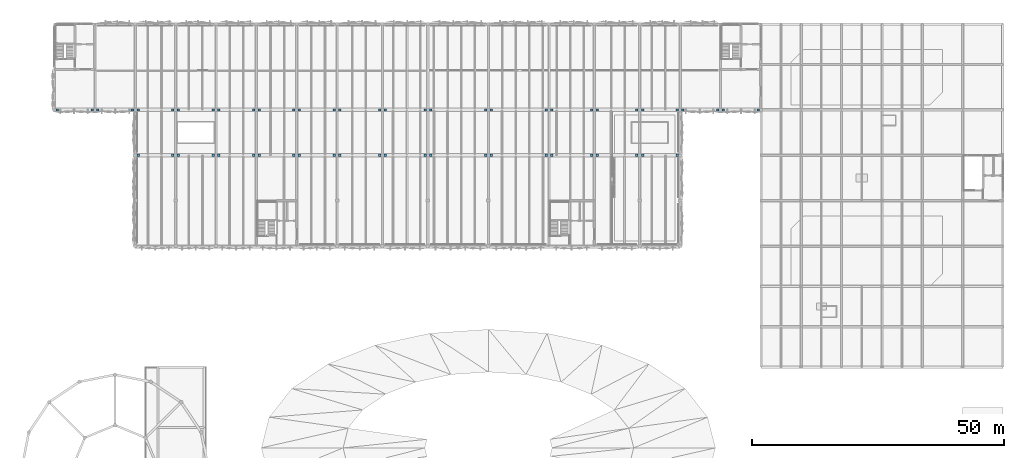
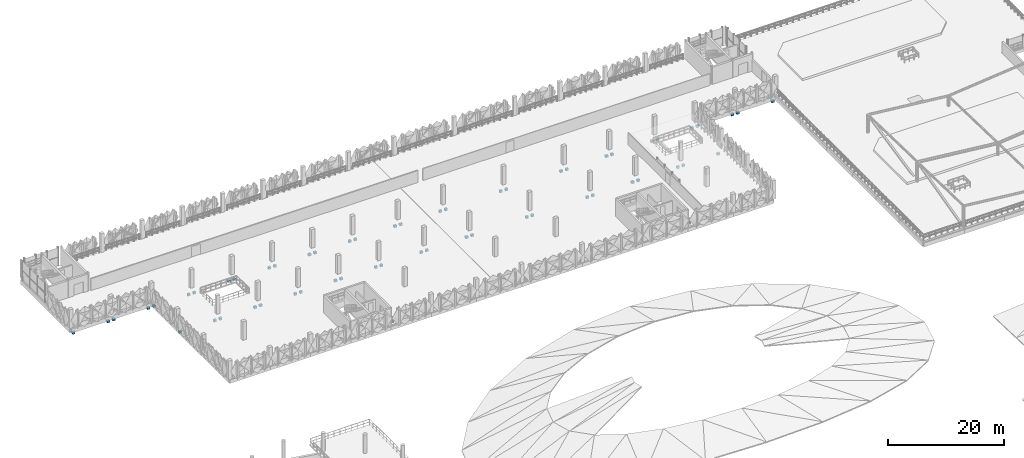
# One storey, part 35 of 52: 56 discrete accessories.
"""IFC4 building model written with IfcOpenShell, lengths in metres."""

from ifc_helpers import new_model, si_unit, derived_unit, direction, frame, origin, origin_2d, place, context, subcontext, project, spatial, rectangle, extrude, material, type_object, element, save


model = new_model("IFC4")

# Units and contexts
model_context = context("Model", 3, precision=1e-05, world=origin(), true_north=direction((0.0, 1.0)))
body_context = subcontext(model_context, "Body", "Model", "MODEL_VIEW")
ifc_project = project(units=[si_unit("LENGTHUNIT", "METRE"), si_unit("AREAUNIT", "SQUARE_METRE"), si_unit("VOLUMEUNIT", "CUBIC_METRE"), si_unit("PLANEANGLEUNIT", "RADIAN"), si_unit("MASSUNIT", "GRAM", prefix="KILO"), si_unit("THERMODYNAMICTEMPERATUREUNIT", "KELVIN"), derived_unit("THERMALTRANSMITTANCEUNIT", [(si_unit("POWERUNIT", "WATT"), 1), (si_unit("AREAUNIT", "SQUARE_METRE"), -1), (si_unit("THERMODYNAMICTEMPERATUREUNIT", "KELVIN"), -1)])], contexts=[model_context])

# Site, building, storey
site_placement = place(None, origin())
site = spatial("IfcSite", under=ifc_project, at=site_placement, CompositionType="ELEMENT")
building_placement = place(site_placement, origin())
building = spatial("IfcBuilding", under=site, at=building_placement, Name="Haiyu Intermodal Mobility Hub", CompositionType="ELEMENT")
storey_placement = place(building_placement, frame((0.0, 0.0, 21.199951171875)))
storey = spatial("IfcBuildingStorey", under=building, at=storey_placement, Name="L05", CompositionType="ELEMENT", Elevation=21.199951171875)

# Discrete accessories
ifc_material = material(Name="Precast concrete C50", Category="concrete")
discrete_accessory_type = type_object("IfcDiscreteAccessoryType", Name="ACC-BK01", PredefinedType="BRACKET", material=ifc_material)
for number, where, z_axis, x_axis, name in (
    (1, (38.550048828125, 122.0, -1.57470703125), (0.0, 0.0, 1.0), (1.0, 0.0, 0.0), "BRK-IT-0233"),
    (2, (45.449951171875, 122.0, -1.57470703125), (0.0, 0.0, 1.0), (1.0, 0.0, 0.0), "BRK-IT-0234"),
    (3, (46.550048828125, 122.0, -1.57470703125), (0.0, 0.0, 1.0), (1.0, 0.0, 0.0), "BRK-IT-0235"),
    (4, (53.449951171875, 122.0, -1.57470703125), (0.0, 0.0, 1.0), (1.0, 0.0, 0.0), "BRK-IT-0236"),
    (5, (54.550048828125, 122.0, -1.57470703125), (0.0, 0.0, 1.0), (1.0, 0.0, 0.0), "BRK-IT-0237"),
    (6, (61.449951171875, 122.0, -1.57470703125), (0.0, 0.0, 1.0), (1.0, 0.0, 0.0), "BRK-IT-0238"),
    (7, (62.550048828125, 122.0, -1.57470703125), (0.0, 0.0, 1.0), (1.0, 0.0, 0.0), "BRK-IT-0239"),
    (8, (69.449951171875, 122.0, -1.57470703125), (0.0, 0.0, 1.0), (1.0, 0.0, 0.0), "BRK-IT-0240"),
    (9, (70.550048828125, 122.0, -1.57470703125), (0.0, 0.0, 1.0), (1.0, 0.0, 0.0), "BRK-IT-0241"),
    (10, (77.449951171875, 122.0, -1.57470703125), (0.0, 0.0, 1.0), (1.0, 0.0, 0.0), "BRK-IT-0242"),
    (11, (78.550048828125, 122.0, -1.57470703125), (0.0, 0.0, 1.0), (1.0, 0.0, 0.0), "BRK-IT-0243"),
    (12, (86.449951171875, 122.0, -1.57470703125), (0.0, 0.0, 1.0), (1.0, 0.0, 0.0), "BRK-IT-0244"),
    (13, (87.550048828125, 122.0, -1.57470703125), (0.0, 0.0, 1.0), (1.0, 0.0, 0.0), "BRK-IT-0245"),
    (14, (95.449951171875, 122.0, -1.57470703125), (0.0, 0.0, 1.0), (1.0, 0.0, 0.0), "BRK-IT-0246"),
    (15, (96.550048828125, 122.0, -1.57470703125), (0.0, 0.0, 1.0), (1.0, 0.0, 0.0), "BRK-IT-0247"),
    (16, (107.449951171875, 122.0, -1.57470703125), (0.0, 0.0, 1.0), (1.0, 0.0, 0.0), "BRK-IT-0248"),
    (17, (108.550048828125, 122.0, -1.57470703125), (0.0, 0.0, 1.0), (1.0, 0.0, 0.0), "BRK-IT-0249"),
    (18, (119.449951171875, 122.0, -1.57470703125), (0.0, 0.0, 1.0), (1.0, 0.0, 0.0), "BRK-IT-0250"),
    (19, (120.550048828125, 122.0, -1.57470703125), (0.0, 0.0, 1.0), (1.0, 0.0, 0.0), "BRK-IT-0251"),
    (20, (128.449951171875, 122.0, -1.57470703125), (0.0, 0.0, 1.0), (1.0, 0.0, 0.0), "BRK-IT-0252"),
    (21, (129.550048828125, 122.0, -1.57470703125), (0.0, 0.0, 1.0), (1.0, 0.0, 0.0), "BRK-IT-0253"),
    (22, (137.449951171875, 122.0, -1.57470703125), (0.0, 0.0, 1.0), (1.0, 0.0, 0.0), "BRK-IT-0254"),
    (23, (138.550048828125, 122.0, -1.57470703125), (0.0, 0.0, 1.0), (1.0, 0.0, 0.0), "BRK-IT-0255"),
    (24, (145.449951171875, 122.0, -1.57470703125), (0.0, 0.0, 1.0), (1.0, 0.0, 0.0), "BRK-IT-0256"),
    (25, (22.550048828125, 131.0, -1.57470703125), (0.0, 0.0, 1.0), (1.0, 0.0, 0.0), "BRK-IT-0257"),
    (26, (29.449951171875, 131.0, -1.57470703125), (0.0, 0.0, 1.0), (1.0, 0.0, 0.0), "BRK-IT-0258"),
    (27, (30.550048828125, 131.0, -1.57470703125), (0.0, 0.0, 1.0), (1.0, 0.0, 0.0), "BRK-IT-0259"),
    (28, (37.449951171875, 131.0, -1.57470703125), (0.0, 0.0, 1.0), (1.0, 0.0, 0.0), "BRK-IT-0260"),
    (29, (38.550048828125, 131.0, -1.57470703125), (0.0, 0.0, 1.0), (1.0, 0.0, 0.0), "BRK-IT-0261"),
    (30, (45.449951171875, 131.0, -1.57470703125), (0.0, 0.0, 1.0), (1.0, 0.0, 0.0), "BRK-IT-0262"),
    (31, (46.550048828125, 131.0, -1.57470703125), (0.0, 0.0, 1.0), (1.0, 0.0, 0.0), "BRK-IT-0263"),
    (32, (53.449951171875, 131.0, -1.57470703125), (0.0, 0.0, 1.0), (1.0, 0.0, 0.0), "BRK-IT-0264"),
    (33, (54.550048828125, 131.0, -1.57470703125), (0.0, 0.0, 1.0), (1.0, 0.0, 0.0), "BRK-IT-0265"),
    (34, (61.449951171875, 131.0, -1.57470703125), (0.0, 0.0, 1.0), (1.0, 0.0, 0.0), "BRK-IT-0266"),
    (35, (62.550048828125, 131.0, -1.57470703125), (0.0, 0.0, 1.0), (1.0, 0.0, 0.0), "BRK-IT-0267"),
    (36, (69.449951171875, 131.0, -1.57470703125), (0.0, 0.0, 1.0), (1.0, 0.0, 0.0), "BRK-IT-0268"),
    (37, (70.550048828125, 131.0, -1.57470703125), (0.0, 0.0, 1.0), (1.0, 0.0, 0.0), "BRK-IT-0269"),
    (38, (77.449951171875, 131.0, -1.57470703125), (0.0, 0.0, 1.0), (1.0, 0.0, 0.0), "BRK-IT-0270"),
    (39, (78.550048828125, 131.0, -1.57470703125), (0.0, 0.0, 1.0), (1.0, 0.0, 0.0), "BRK-IT-0271"),
    (40, (86.449951171875, 131.0, -1.57470703125), (0.0, 0.0, 1.0), (1.0, 0.0, 0.0), "BRK-IT-0272"),
    (41, (87.550048828125, 131.0, -1.57470703125), (0.0, 0.0, 1.0), (1.0, 0.0, 0.0), "BRK-IT-0273"),
    (42, (95.449951171875, 131.0, -1.57470703125), (0.0, 0.0, 1.0), (1.0, 0.0, 0.0), "BRK-IT-0274"),
    (43, (96.550048828125, 131.0, -1.57470703125), (0.0, 0.0, 1.0), (1.0, 0.0, 0.0), "BRK-IT-0275"),
    (44, (107.449951171875, 131.0, -1.57470703125), (0.0, 0.0, 1.0), (1.0, 0.0, 0.0), "BRK-IT-0276"),
    (45, (108.550048828125, 131.0, -1.57470703125), (0.0, 0.0, 1.0), (1.0, 0.0, 0.0), "BRK-IT-0277"),
    (46, (119.449951171875, 131.0, -1.57470703125), (0.0, 0.0, 1.0), (1.0, 0.0, 0.0), "BRK-IT-0278"),
    (47, (120.550048828125, 131.0, -1.57470703125), (0.0, 0.0, 1.0), (1.0, 0.0, 0.0), "BRK-IT-0279"),
    (48, (128.449951171875, 131.0, -1.57470703125), (0.0, 0.0, 1.0), (1.0, 0.0, 0.0), "BRK-IT-0280"),
    (49, (129.550048828125, 131.0, -1.57470703125), (0.0, 0.0, 1.0), (1.0, 0.0, 0.0), "BRK-IT-0281"),
    (50, (137.449951171875, 131.0, -1.57470703125), (0.0, 0.0, 1.0), (1.0, 0.0, 0.0), "BRK-IT-0282"),
    (51, (138.550048828125, 131.0, -1.57470703125), (0.0, 0.0, 1.0), (1.0, 0.0, 0.0), "BRK-IT-0283"),
    (52, (145.449951171875, 131.0, -1.57470703125), (0.0, 0.0, 1.0), (1.0, 0.0, 0.0), "BRK-IT-0284"),
    (53, (146.550048828125, 131.0, -1.57470703125), (0.0, 0.0, 1.0), (1.0, 0.0, 0.0), "BRK-IT-0285"),
    (54, (153.449951171875, 131.0, -1.57470703125), (0.0, 0.0, 1.0), (1.0, 0.0, 0.0), "BRK-IT-0286"),
    (55, (154.550048828125, 131.0, -1.57470703125), (0.0, 0.0, 1.0), (1.0, 0.0, 0.0), "BRK-IT-0287"),
    (56, (161.449951171875, 131.0, -1.57470703125), (0.0, 0.0, 1.0), (1.0, 0.0, 0.0), "BRK-IT-0288"),
):
    element("IfcDiscreteAccessory", number, at=place(storey_placement, frame(where, z_axis=z_axis, x_axis=x_axis)), inside=storey, type_object=discrete_accessory_type, Name=name, PredefinedType="BRACKET", context=body_context, shape_type="SweptSolid", body=[
        extrude(rectangle(XDim=0.5, YDim=0.419921875, at=origin_2d()), origin(), (0.0, 0.0, 1.0), 0.449951171875),
    ])

save(model, "model.ifc")
